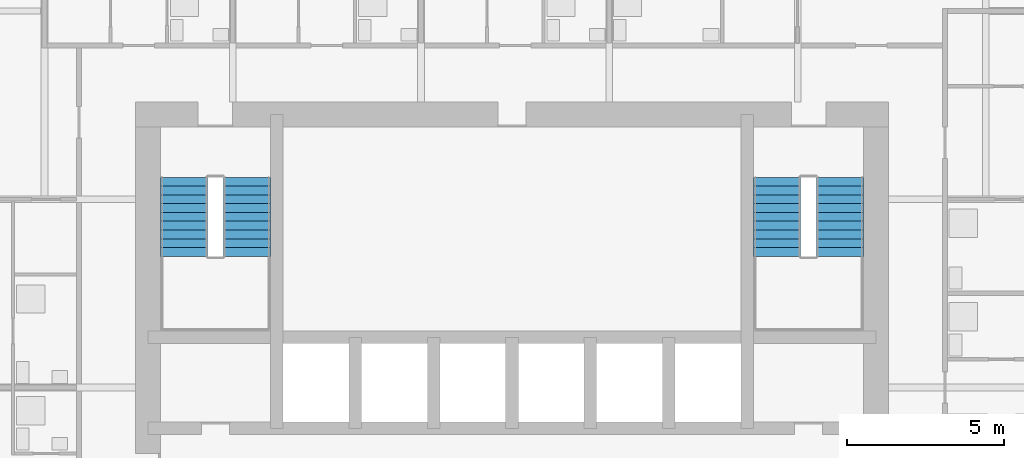
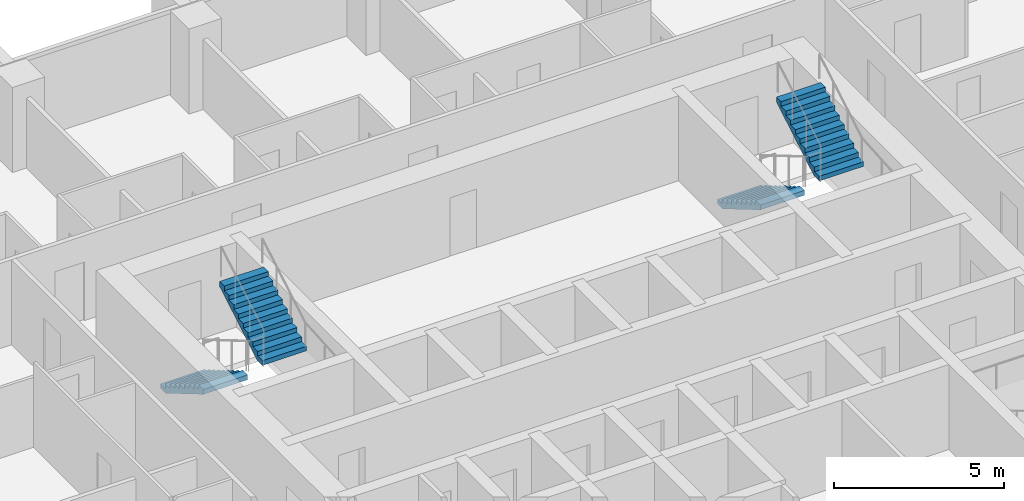
# One storey, part 9 of 12: 4 stair flights, 2 elements without a shape of their own.
"""IFC4 building model written with IfcOpenShell, lengths in metres."""

from ifc_helpers import new_model, si_unit, direction, frame, origin, place, context, subcontext, project, spatial, polyline, outline, extrude, material, type_object, element, aggregate, save


model = new_model("IFC4")

# Units and contexts
model_context = context("Model", 3, precision=1e-05, world=origin(), true_north=direction((0.0, 1.0)))
body_context = subcontext(model_context, "Body", "Model", "MODEL_VIEW")
ifc_project = project(units=[si_unit("LENGTHUNIT", "METRE"), si_unit("AREAUNIT", "SQUARE_METRE"), si_unit("VOLUMEUNIT", "CUBIC_METRE"), si_unit("PLANEANGLEUNIT", "RADIAN"), si_unit("MASSUNIT", "GRAM", prefix="KILO")], contexts=[model_context])

# Site, building, storey
site_placement = place(None, origin())
site = spatial("IfcSite", under=ifc_project, at=site_placement, CompositionType="ELEMENT")
building_placement = place(site_placement, origin())
building = spatial("IfcBuilding", under=site, at=building_placement, Name="Amberfall Residences", CompositionType="ELEMENT")
storey_placement = place(building_placement, frame((0.0, 0.0, 88.60009765625)))
storey = spatial("IfcBuildingStorey", under=building, at=storey_placement, Name="L23", CompositionType="ELEMENT", Elevation=88.60009765625)

# Stair, stair flights
ifc_material = material(Name="Concrete C40", Category="concrete")
stair_type = type_object("IfcStairType", Name="Exit stair 20 risers 165.0 mm", PredefinedType="HALF_TURN_STAIR", material=ifc_material)
stair_1_placement = place(storey_placement, origin())
stair_1 = element("IfcStair", 1, at=stair_1_placement, inside=storey, type_object=stair_type, Name="L23 Exit stair 3", PredefinedType="HALF_TURN_STAIR")
stair_flight_type = type_object("IfcStairFlightType", Name="Stair flight 10 risers 165.0 mm", PredefinedType="STRAIGHT", material=ifc_material)
stair_flight_1_placement = place(storey_placement, frame((82.949951171875, 55.10009765625, 0.0), z_axis=(0.0, 0.0, 1.0), x_axis=(0.0, -1.0, 0.0)))
stair_flight_1 = element("IfcStairFlight", 2, at=stair_flight_1_placement, type_object=stair_flight_type, Name="ST3 flight 1", NumberOfRisers=10, NumberOfTreads=9, PredefinedType="STRAIGHT", RiserHeight=0.165, TreadLength=0.28, context=body_context, shape_type="SweptSolid", body=[
    extrude(outline(polyline([(0.0, 0.0), (0.0, 0.1650390625), (0.280029296875, 0.1650390625), (0.280029296875, 0.330078125), (0.56005859375, 0.330078125), (0.56005859375, 0.4951171875), (0.840087890625, 0.4951171875), (0.840087890625, 0.659912109375), (1.1201171875, 0.659912109375), (1.1201171875, 0.824951171875), (1.39990234375, 0.824951171875), (1.39990234375, 0.989990234375), (1.679931640625, 0.989990234375), (1.679931640625, 1.155029296875), (1.9599609375, 1.155029296875), (1.9599609375, 1.320068359375), (2.239990234375, 1.320068359375), (2.239990234375, 1.485107421875), (2.52001953125, 1.485107421875), (2.52001953125, 1.64990234375), (2.52001953125, 1.31103515625), (0.295166015625, 0.0), (0.0, 0.0)])), frame((0.0, 0.75, 0.0), z_axis=(0.0, -1.0, 0.0), x_axis=(1.0, 0.0, 0.0)), (0.0, 0.0, 1.0), 1.5),
])
stair_flight_2_placement = place(storey_placement, frame((84.949951171875, 52.580078125, 1.64990234375), z_axis=(0.0, 0.0, 1.0), x_axis=(0.0, 1.0, 0.0)))
stair_flight_2 = element("IfcStairFlight", 3, at=stair_flight_2_placement, type_object=stair_flight_type, Name="ST3 flight 2", NumberOfRisers=10, NumberOfTreads=9, PredefinedType="STRAIGHT", RiserHeight=0.165, TreadLength=0.28, context=body_context, shape_type="SweptSolid", body=[
    extrude(outline(polyline([(0.0, 0.0), (0.0, 0.1650390625), (0.280029296875, 0.1650390625), (0.280029296875, 0.330078125), (0.56005859375, 0.330078125), (0.56005859375, 0.4951171875), (0.840087890625, 0.4951171875), (0.840087890625, 0.659912109375), (1.1201171875, 0.659912109375), (1.1201171875, 0.824951171875), (1.39990234375, 0.824951171875), (1.39990234375, 0.989990234375), (1.679931640625, 0.989990234375), (1.679931640625, 1.155029296875), (1.9599609375, 1.155029296875), (1.9599609375, 1.320068359375), (2.239990234375, 1.320068359375), (2.239990234375, 1.485107421875), (2.52001953125, 1.485107421875), (2.52001953125, 1.64990234375), (2.52001953125, 1.31103515625), (0.295166015625, 0.0), (0.0, 0.0)])), frame((0.0, 0.75, 0.0), z_axis=(0.0, -1.0, 0.0), x_axis=(1.0, 0.0, 0.0)), (0.0, 0.0, 1.0), 1.5),
])
aggregate(stair_1, [stair_flight_1, stair_flight_2])

stair_2_placement = place(storey_placement, origin())
stair_2 = element("IfcStair", 4, at=stair_2_placement, inside=storey, type_object=stair_type, Name="L23 Exit stair 4", PredefinedType="HALF_TURN_STAIR")
stair_flight_3_placement = place(storey_placement, frame((64.050048828125, 55.10009765625, 0.0), z_axis=(0.0, 0.0, 1.0), x_axis=(0.0, -1.0, 0.0)))
stair_flight_3 = element("IfcStairFlight", 5, at=stair_flight_3_placement, type_object=stair_flight_type, Name="ST3 flight 1", NumberOfRisers=10, NumberOfTreads=9, PredefinedType="STRAIGHT", RiserHeight=0.165, TreadLength=0.28, context=body_context, shape_type="SweptSolid", body=[
    extrude(outline(polyline([(0.0, 0.0), (0.0, 0.1650390625), (0.280029296875, 0.1650390625), (0.280029296875, 0.330078125), (0.56005859375, 0.330078125), (0.56005859375, 0.4951171875), (0.840087890625, 0.4951171875), (0.840087890625, 0.659912109375), (1.1201171875, 0.659912109375), (1.1201171875, 0.824951171875), (1.39990234375, 0.824951171875), (1.39990234375, 0.989990234375), (1.679931640625, 0.989990234375), (1.679931640625, 1.155029296875), (1.9599609375, 1.155029296875), (1.9599609375, 1.320068359375), (2.239990234375, 1.320068359375), (2.239990234375, 1.485107421875), (2.52001953125, 1.485107421875), (2.52001953125, 1.64990234375), (2.52001953125, 1.31103515625), (0.295166015625, 0.0), (0.0, 0.0)])), frame((0.0, 0.75, 0.0), z_axis=(0.0, -1.0, 0.0), x_axis=(1.0, 0.0, 0.0)), (0.0, 0.0, 1.0), 1.5),
])
stair_flight_4_placement = place(storey_placement, frame((66.050048828125, 52.580078125, 1.64990234375), z_axis=(0.0, 0.0, 1.0), x_axis=(0.0, 1.0, 0.0)))
stair_flight_4 = element("IfcStairFlight", 6, at=stair_flight_4_placement, type_object=stair_flight_type, Name="ST3 flight 2", NumberOfRisers=10, NumberOfTreads=9, PredefinedType="STRAIGHT", RiserHeight=0.165, TreadLength=0.28, context=body_context, shape_type="SweptSolid", body=[
    extrude(outline(polyline([(0.0, 0.0), (0.0, 0.1650390625), (0.280029296875, 0.1650390625), (0.280029296875, 0.330078125), (0.56005859375, 0.330078125), (0.56005859375, 0.4951171875), (0.840087890625, 0.4951171875), (0.840087890625, 0.659912109375), (1.1201171875, 0.659912109375), (1.1201171875, 0.824951171875), (1.39990234375, 0.824951171875), (1.39990234375, 0.989990234375), (1.679931640625, 0.989990234375), (1.679931640625, 1.155029296875), (1.9599609375, 1.155029296875), (1.9599609375, 1.320068359375), (2.239990234375, 1.320068359375), (2.239990234375, 1.485107421875), (2.52001953125, 1.485107421875), (2.52001953125, 1.64990234375), (2.52001953125, 1.31103515625), (0.295166015625, 0.0), (0.0, 0.0)])), frame((0.0, 0.75, 0.0), z_axis=(0.0, -1.0, 0.0), x_axis=(1.0, 0.0, 0.0)), (0.0, 0.0, 1.0), 1.5),
])
aggregate(stair_2, [stair_flight_3, stair_flight_4])

save(model, "model.ifc")
